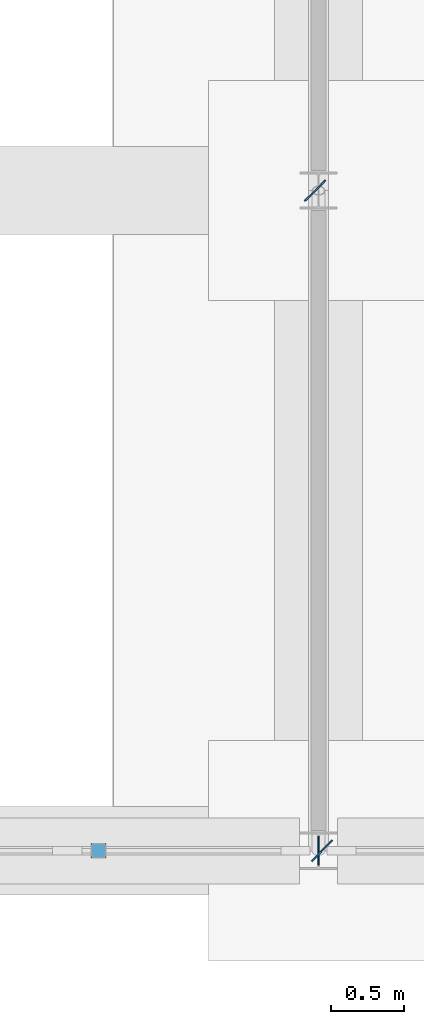
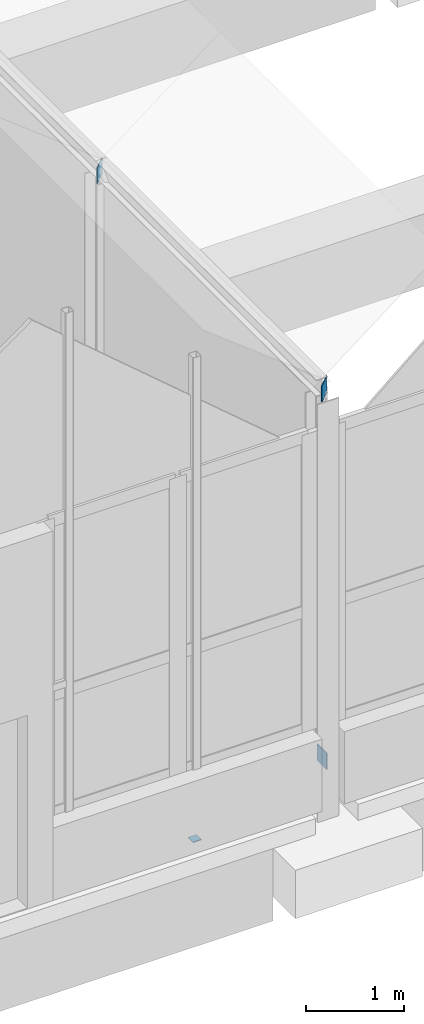
# One storey, part 82 of 106: 4 discrete accessories.
"""IFC4 building model written with IfcOpenShell, lengths in metres."""

from ifc_helpers import new_model, si_unit, direction, frame, origin, origin_2d, place, context, subcontext, project, spatial, rectangle, extrude, material, type_object, element, save


model = new_model("IFC4")

# Units and contexts
model_context = context("Model", 3, precision=1e-05, world=origin(), true_north=direction((0.0, 1.0)))
body_context = subcontext(model_context, "Body", "Model", "MODEL_VIEW")
ifc_project = project(units=[si_unit("LENGTHUNIT", "METRE"), si_unit("AREAUNIT", "SQUARE_METRE"), si_unit("VOLUMEUNIT", "CUBIC_METRE"), si_unit("PLANEANGLEUNIT", "RADIAN"), si_unit("MASSUNIT", "GRAM", prefix="KILO")], contexts=[model_context])

# Site, building, storey
site_placement = place(None, origin())
site = spatial("IfcSite", under=ifc_project, at=site_placement, CompositionType="ELEMENT")
building_placement = place(site_placement, origin())
building = spatial("IfcBuilding", under=site, at=building_placement, Name="Hortulan Conservatory and Botanical Research Centre", CompositionType="ELEMENT")
storey_placement = place(building_placement, origin())
storey = spatial("IfcBuildingStorey", under=building, at=storey_placement, Name="L00", CompositionType="ELEMENT", Elevation=0.0)

# Discrete accessories
ifc_material = material(Name="Steel Grade 300 plate (AS/NZS 3678, 280 MPa minimum yield)", Category="steel")
discrete_accessory_type_1 = type_object("IfcDiscreteAccessoryType", Name="End Plate 100x10", PredefinedType="BRACKET", material=ifc_material)
discrete_accessory_placement = place(storey_placement, frame((93.0, 0.0, 0.0), z_axis=(0.0, 0.0, 1.0), x_axis=(1.0, 0.0, 0.0)))
element("IfcDiscreteAccessory", 1, at=discrete_accessory_placement, inside=storey, type_object=discrete_accessory_type_1, Name="Arid Glasshouse gable post base plate S 7.5", PredefinedType="BRACKET", context=body_context, shape_type="SweptSolid", body=[
    extrude(rectangle(XDim=0.10009765625, YDim=0.10009765625, at=origin_2d()), origin(), (0.0, 0.0, 1.0), 0.010009765625),
])
discrete_accessory_type_2 = type_object("IfcDiscreteAccessoryType", Name="End Plate 200x10", PredefinedType="BRACKET", material=ifc_material)
for number, where, z_axis, x_axis, name in (
    (2, (94.5, 0.0, 0.39990234375), (0.0, 0.0, 1.0), (0.0, -1.0, 0.0), "Brace end plate"),
    (3, (94.5234375, 0.0, 4.97119140625), (0.0, 0.0, 1.0), (0.707106781187, 0.707106781187, 0.0), "Brace end plate"),
    (4, (94.4765625, 4.5, 4.97119140625), (0.0, 0.0, 1.0), (0.707106781187, 0.707106781187, 0.0), "Brace end plate"),
):
    element("IfcDiscreteAccessory", number, at=place(storey_placement, frame(where, z_axis=z_axis, x_axis=x_axis)), inside=storey, type_object=discrete_accessory_type_2, Name=name, PredefinedType="BRACKET", context=body_context, shape_type="SweptSolid", body=[
        extrude(rectangle(XDim=0.199951171875, YDim=0.010009765625, at=origin_2d()), origin(), (0.0, 0.0, 1.0), 0.199951171875),
    ])

save(model, "model.ifc")
